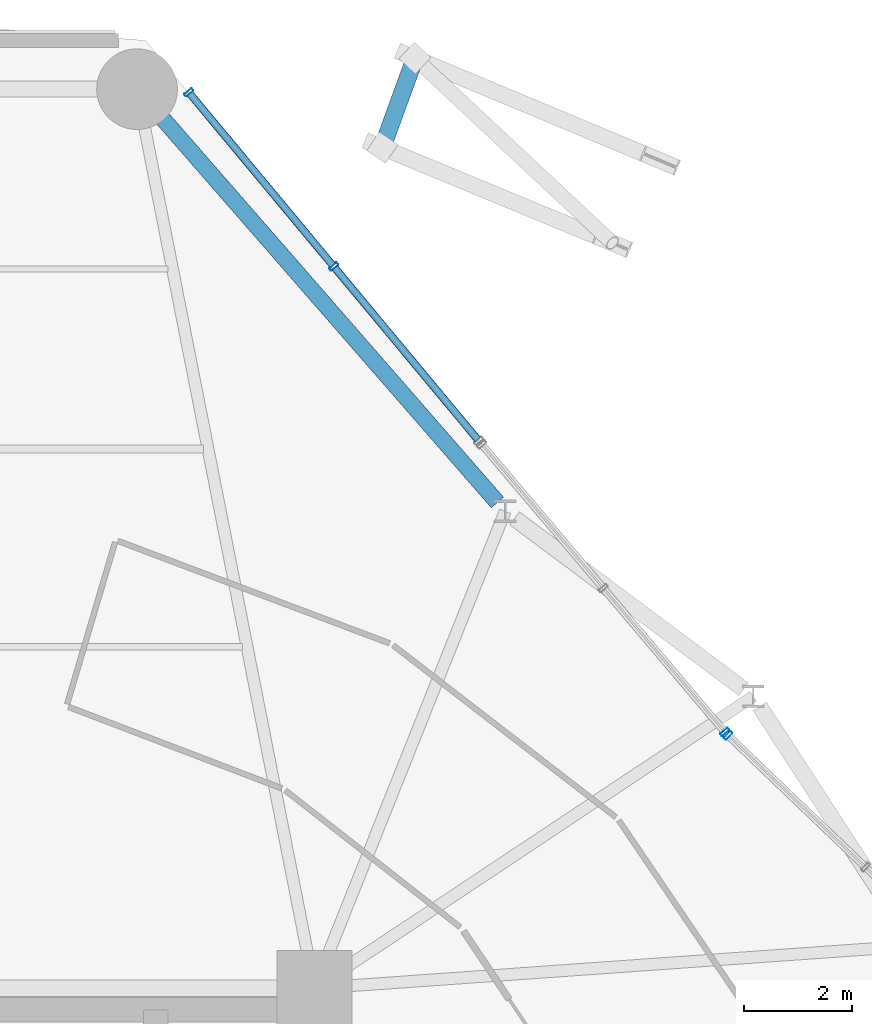
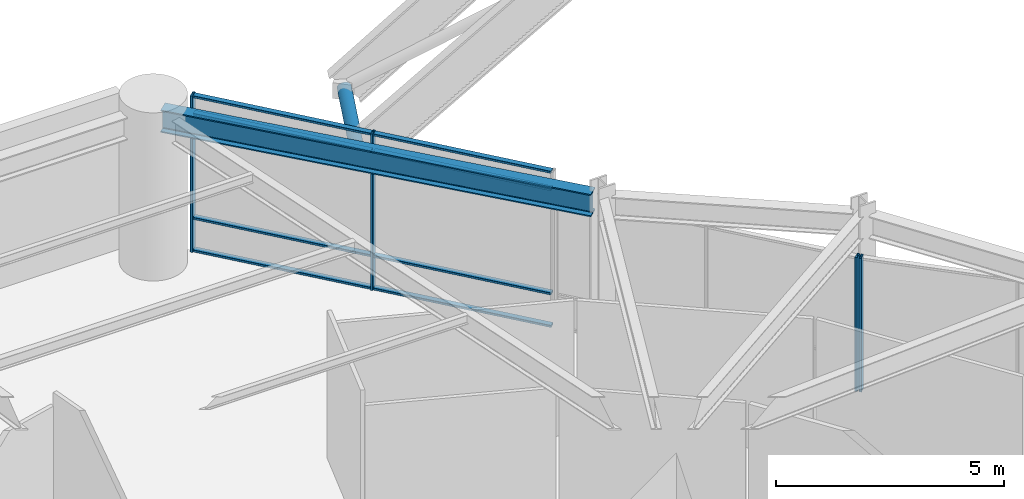
# One storey, part 36 of 55: 13 members, 1 beam, 3 elements without a shape of their own.
"""IFC4 building model written with IfcOpenShell, lengths in metres."""

from ifc_helpers import new_model, si_unit, direction, frame, origin, origin_2d, place, context, subcontext, project, spatial, hollow_rectangle, hollow_circle, i_section, extrude, material, layer, layer_set, material_profile, profile_set, type_object, element, aggregate, save


model = new_model("IFC4")

# Units and contexts
model_context = context("Model", 3, precision=1e-05, world=origin(), true_north=direction((0.0, 1.0)))
body_context = subcontext(model_context, "Body", "Model", "MODEL_VIEW")
ifc_project = project(units=[si_unit("LENGTHUNIT", "METRE"), si_unit("AREAUNIT", "SQUARE_METRE"), si_unit("VOLUMEUNIT", "CUBIC_METRE"), si_unit("PLANEANGLEUNIT", "RADIAN"), si_unit("MASSUNIT", "GRAM", prefix="KILO")], contexts=[model_context])

# Site, building, storey
site_placement = place(None, origin())
site = spatial("IfcSite", under=ifc_project, at=site_placement, CompositionType="ELEMENT")
building_placement = place(site_placement, origin())
building = spatial("IfcBuilding", under=site, at=building_placement, Name="Kelanora Arch Commons", CompositionType="ELEMENT")
storey_placement = place(building_placement, frame((0.0, 0.0, 4.5)))
storey = spatial("IfcBuildingStorey", under=building, at=storey_placement, Name="L01", CompositionType="ELEMENT", Elevation=4.5)

# Beam
ifc_material_1 = material(Name="Steel S355", Category="steel")
ifc_material_profile_1 = material_profile(ifc_material_1, i_section(OverallWidth=0.300048828125, OverallDepth=0.60009765625, WebThickness=0.015380859375, FlangeThickness=0.030029296875, FilletRadius=0.027099609375, at=origin_2d()), Name="HEB600")
ifc_profile_set_1 = profile_set([ifc_material_profile_1], Name="Steel S355")
beam_type = type_object("IfcBeamType", Name="BM-SPN-Z1", PredefinedType="SPANDREL", material=ifc_profile_set_1)
beam_placement = place(storey_placement, frame((85.40087890625, 74.0322265625, 3.89990234375), z_axis=(-0.657217586408, 0.753700898311, 0.0), x_axis=(-0.753700898311, -0.657217586408, 0.0)))
element("IfcBeam", 1, at=beam_placement, inside=storey, type_object=beam_type, Name="Perimeter Spandrel Beam BS-06 L01", PredefinedType="SPANDREL", context=body_context, shape_type="SweptSolid", body=[
    extrude(i_section(OverallWidth=0.300048828125, OverallDepth=0.60009765625, WebThickness=0.015380859375, FlangeThickness=0.030029296875, FilletRadius=0.027099609375, at=origin_2d()), origin(), (0.0, 0.0, 1.0), 9.97216796875),
])

# Curtain wall, member
ifc_material_2 = material(Name="Terracotta ceramic-fritted low-E glass and aluminium", Category="masonry")
ifc_layer = layer(ifc_material_2, 0.2099609375)
ifc_layer_set = layer_set([ifc_layer], Name="Terracotta ceramic-fritted low-E glass and aluminium")
curtain_wall_type = type_object("IfcCurtainWallType", Name="CW-SYS-04", PredefinedType="NOTDEFINED", material=ifc_layer_set)
curtain_wall_1_placement = place(storey_placement, origin())
curtain_wall_1 = element("IfcCurtainWall", 2, at=curtain_wall_1_placement, inside=storey, type_object=curtain_wall_type, Name="Unitised Curtain Wall L01-B01", PredefinedType="NOTDEFINED")
ifc_material_3 = material(Name="Powder-coated aluminium terracotta", Category="masonry")
ifc_material_profile_2 = material_profile(ifc_material_3, hollow_rectangle(XDim=0.179931640625, YDim=0.06005859375, WallThickness=0.0048828125, InnerFilletRadius=0.0048828125, OuterFilletRadius=0.010009765625, at=origin_2d()), Name="CWM180x60")
ifc_profile_set_2 = profile_set([ifc_material_profile_2], Name="Powder-coated aluminium terracotta")
member_type_1 = type_object("IfcMemberType", Name="CWM-HVY", PredefinedType="MULLION", material=ifc_profile_set_2)
member_1_placement = place(storey_placement, frame((89.6904296875, 69.69970703125, 0.0), z_axis=(0.0, 0.0, 1.0), x_axis=(-0.691952518914, -0.721943011302, 0.0)))
member_1 = element("IfcMember", 3, at=member_1_placement, type_object=member_type_1, Name="CW-04 mullion 3", PredefinedType="MULLION", context=body_context, shape_type="SweptSolid", body=[
    extrude(hollow_rectangle(XDim=0.179931640625, YDim=0.06005859375, WallThickness=0.0048828125, InnerFilletRadius=0.0048828125, OuterFilletRadius=0.010009765625, at=origin_2d()), origin(), (0.0, 0.0, 1.0), 3.580078125),
])
aggregate(curtain_wall_1, [member_1])

curtain_wall_2_placement = place(storey_placement, origin())
curtain_wall_2 = element("IfcCurtainWall", 4, at=curtain_wall_2_placement, inside=storey, type_object=curtain_wall_type, Name="Unitised Curtain Wall L01-B02", PredefinedType="NOTDEFINED")
member_2_placement = place(storey_placement, frame((89.62890625, 69.765380859375, 0.0), z_axis=(0.0, 0.0, 1.0), x_axis=(-0.763854903949, -0.645388011752, 0.0)))
member_2 = element("IfcMember", 5, at=member_2_placement, type_object=member_type_1, Name="CW-04 mullion 1", PredefinedType="MULLION", context=body_context, shape_type="SweptSolid", body=[
    extrude(hollow_rectangle(XDim=0.179931640625, YDim=0.06005859375, WallThickness=0.0048828125, InnerFilletRadius=0.0048828125, OuterFilletRadius=0.010009765625, at=origin_2d()), origin(), (0.0, 0.0, 1.0), 3.580078125),
])
aggregate(curtain_wall_2, [member_2])

# Curtain wall, members
curtain_wall_3_placement = place(storey_placement, origin())
curtain_wall_3 = element("IfcCurtainWall", 6, at=curtain_wall_3_placement, inside=storey, type_object=curtain_wall_type, Name="Unitised Curtain Wall L01-B03", PredefinedType="NOTDEFINED")
member_3_placement = place(storey_placement, frame((82.361083984375, 78.416015625, 0.0), z_axis=(0.0, 0.0, 1.0), x_axis=(-0.768622918602, -0.639702125211, 0.0)))
member_3 = element("IfcMember", 7, at=member_3_placement, type_object=member_type_1, Name="CW-04 mullion 2", PredefinedType="MULLION", context=body_context, shape_type="SweptSolid", body=[
    extrude(hollow_rectangle(XDim=0.179931640625, YDim=0.06005859375, WallThickness=0.0048828125, InnerFilletRadius=0.0048828125, OuterFilletRadius=0.010009765625, at=origin_2d()), origin(), (0.0, 0.0, 1.0), 4.18505859375),
])
member_4_placement = place(storey_placement, frame((79.665771484375, 81.654541015625, 0.0), z_axis=(0.0, 0.0, 1.0), x_axis=(-0.768622918602, -0.639702125211, 0.0)))
member_4 = element("IfcMember", 8, at=member_4_placement, type_object=member_type_1, Name="CW-04 mullion 3", PredefinedType="MULLION", context=body_context, shape_type="SweptSolid", body=[
    extrude(hollow_rectangle(XDim=0.179931640625, YDim=0.06005859375, WallThickness=0.0048828125, InnerFilletRadius=0.0048828125, OuterFilletRadius=0.010009765625, at=origin_2d()), origin(), (0.0, 0.0, 1.0), 4.18505859375),
])
ifc_material_profile_3 = material_profile(ifc_material_3, hollow_rectangle(XDim=0.139892578125, YDim=0.06005859375, WallThickness=0.0048828125, InnerFilletRadius=0.0048828125, OuterFilletRadius=0.010009765625, at=origin_2d()), Name="CWT140x60")
ifc_profile_set_3 = profile_set([ifc_material_profile_3], Name="Powder-coated aluminium terracotta")
member_type_2 = type_object("IfcMemberType", Name="CWT-HVY", PredefinedType="USERDEFINED", material=ifc_profile_set_3)
member_5_placement = place(storey_placement, frame((85.037109375, 75.20068359375, 0.030029296875), z_axis=(-0.639704353367, 0.768621064168, 0.0), x_axis=(-0.768621064168, -0.639704353367, 0.0)))
member_5 = element("IfcMember", 9, at=member_5_placement, type_object=member_type_2, Name="CW-04 transom 1.1", ObjectType="TRANSOM", PredefinedType="USERDEFINED", context=body_context, shape_type="SweptSolid", body=[
    extrude(hollow_rectangle(XDim=0.139892578125, YDim=0.06005859375, WallThickness=0.0048828125, InnerFilletRadius=0.0048828125, OuterFilletRadius=0.010009765625, at=origin_2d()), origin(), (0.0, 0.0, 1.0), 4.153076171875),
])
member_6_placement = place(storey_placement, frame((85.037109375, 75.20068359375, 0.89990234375), z_axis=(-0.639704353367, 0.768621064168, 0.0), x_axis=(-0.768621064168, -0.639704353367, 0.0)))
member_6 = element("IfcMember", 10, at=member_6_placement, type_object=member_type_2, Name="CW-04 transom 1.2", ObjectType="TRANSOM", PredefinedType="USERDEFINED", context=body_context, shape_type="SweptSolid", body=[
    extrude(hollow_rectangle(XDim=0.139892578125, YDim=0.06005859375, WallThickness=0.0048828125, InnerFilletRadius=0.0048828125, OuterFilletRadius=0.010009765625, at=origin_2d()), origin(), (0.0, 0.0, 1.0), 4.153076171875),
])
member_7_placement = place(storey_placement, frame((85.037109375, 75.20068359375, 3.68505859375), z_axis=(-0.639704353367, 0.768621064168, 0.0), x_axis=(-0.768621064168, -0.639704353367, 0.0)))
member_7 = element("IfcMember", 11, at=member_7_placement, type_object=member_type_2, Name="CW-04 transom 1.3", ObjectType="TRANSOM", PredefinedType="USERDEFINED", context=body_context, shape_type="SweptSolid", body=[
    extrude(hollow_rectangle(XDim=0.139892578125, YDim=0.06005859375, WallThickness=0.0048828125, InnerFilletRadius=0.0048828125, OuterFilletRadius=0.010009765625, at=origin_2d()), origin(), (0.0, 0.0, 1.0), 4.153076171875),
])
member_8_placement = place(storey_placement, frame((85.037109375, 75.20068359375, 4.155029296875), z_axis=(-0.639704353367, 0.768621064168, 0.0), x_axis=(-0.768621064168, -0.639704353367, 0.0)))
member_8 = element("IfcMember", 12, at=member_8_placement, type_object=member_type_2, Name="CW-04 transom 1.4", ObjectType="TRANSOM", PredefinedType="USERDEFINED", context=body_context, shape_type="SweptSolid", body=[
    extrude(hollow_rectangle(XDim=0.139892578125, YDim=0.06005859375, WallThickness=0.0048828125, InnerFilletRadius=0.0048828125, OuterFilletRadius=0.010009765625, at=origin_2d()), origin(), (0.0, 0.0, 1.0), 4.153076171875),
])
member_9_placement = place(storey_placement, frame((82.342041015625, 78.43896484375, 0.030029296875), z_axis=(-0.639710177815, 0.768616216586, 0.0), x_axis=(-0.768616216586, -0.639710177815, 0.0)))
member_9 = element("IfcMember", 13, at=member_9_placement, type_object=member_type_2, Name="CW-04 transom 2.1", ObjectType="TRANSOM", PredefinedType="USERDEFINED", context=body_context, shape_type="SweptSolid", body=[
    extrude(hollow_rectangle(XDim=0.139892578125, YDim=0.06005859375, WallThickness=0.0048828125, InnerFilletRadius=0.0048828125, OuterFilletRadius=0.010009765625, at=origin_2d()), origin(), (0.0, 0.0, 1.0), 4.1533203125),
])
member_10_placement = place(storey_placement, frame((82.342041015625, 78.43896484375, 0.89990234375), z_axis=(-0.639710177815, 0.768616216586, 0.0), x_axis=(-0.768616216586, -0.639710177815, 0.0)))
member_10 = element("IfcMember", 14, at=member_10_placement, type_object=member_type_2, Name="CW-04 transom 2.2", ObjectType="TRANSOM", PredefinedType="USERDEFINED", context=body_context, shape_type="SweptSolid", body=[
    extrude(hollow_rectangle(XDim=0.139892578125, YDim=0.06005859375, WallThickness=0.0048828125, InnerFilletRadius=0.0048828125, OuterFilletRadius=0.010009765625, at=origin_2d()), origin(), (0.0, 0.0, 1.0), 4.1533203125),
])
member_11_placement = place(storey_placement, frame((82.342041015625, 78.43896484375, 3.68505859375), z_axis=(-0.639710177815, 0.768616216586, 0.0), x_axis=(-0.768616216586, -0.639710177815, 0.0)))
member_11 = element("IfcMember", 15, at=member_11_placement, type_object=member_type_2, Name="CW-04 transom 2.3", ObjectType="TRANSOM", PredefinedType="USERDEFINED", context=body_context, shape_type="SweptSolid", body=[
    extrude(hollow_rectangle(XDim=0.139892578125, YDim=0.06005859375, WallThickness=0.0048828125, InnerFilletRadius=0.0048828125, OuterFilletRadius=0.010009765625, at=origin_2d()), origin(), (0.0, 0.0, 1.0), 4.1533203125),
])
member_12_placement = place(storey_placement, frame((82.342041015625, 78.43896484375, 4.155029296875), z_axis=(-0.639710177815, 0.768616216586, 0.0), x_axis=(-0.768616216586, -0.639710177815, 0.0)))
member_12 = element("IfcMember", 16, at=member_12_placement, type_object=member_type_2, Name="CW-04 transom 2.4", ObjectType="TRANSOM", PredefinedType="USERDEFINED", context=body_context, shape_type="SweptSolid", body=[
    extrude(hollow_rectangle(XDim=0.139892578125, YDim=0.06005859375, WallThickness=0.0048828125, InnerFilletRadius=0.0048828125, OuterFilletRadius=0.010009765625, at=origin_2d()), origin(), (0.0, 0.0, 1.0), 4.1533203125),
])
aggregate(curtain_wall_3, [member_3, member_4, member_5, member_6, member_7, member_8, member_9, member_10, member_11, member_12])

# Member
ifc_material_profile_4 = material_profile(ifc_material_1, hollow_circle(Radius=0.161865234375, WallThickness=0.01611328125, at=origin_2d()), Name="CHS323.9x16")
ifc_profile_set_4 = profile_set([ifc_material_profile_4], Name="Steel S355")
member_type_3 = type_object("IfcMemberType", Name="MEM-MKT-CHORD", PredefinedType="CHORD", material=ifc_profile_set_4)
member_13_placement = place(storey_placement, frame((83.261962890625, 80.627685546875, 1.91259765625), z_axis=(0.323142562586, 0.888088051189, 0.326922770055), x_axis=(-0.939724942452, 0.341931327218, 0.0)))
element("IfcMember", 17, at=member_13_placement, inside=storey, type_object=member_type_3, Name="Giant Arch Transverse Strut 07", PredefinedType="CHORD", context=body_context, shape_type="SweptSolid", body=[
    extrude(hollow_circle(Radius=0.161865234375, WallThickness=0.01611328125, at=origin_2d()), origin(), (0.0, 0.0, 1.0), 1.873046875),
])

save(model, "model.ifc")
